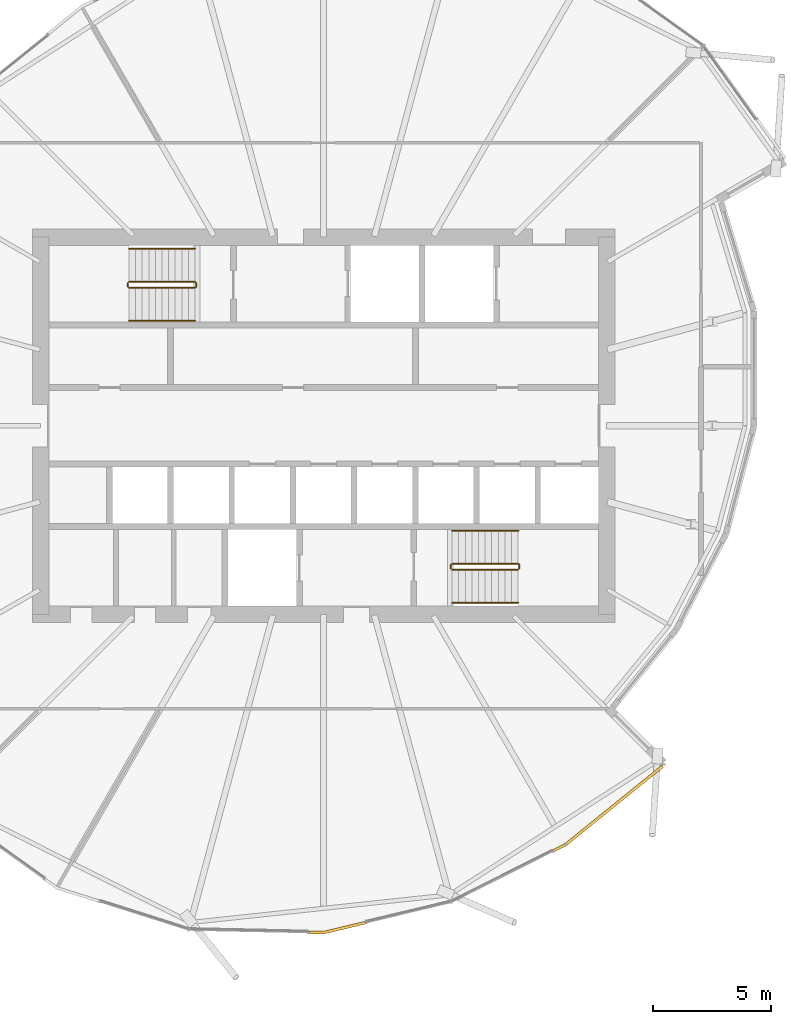
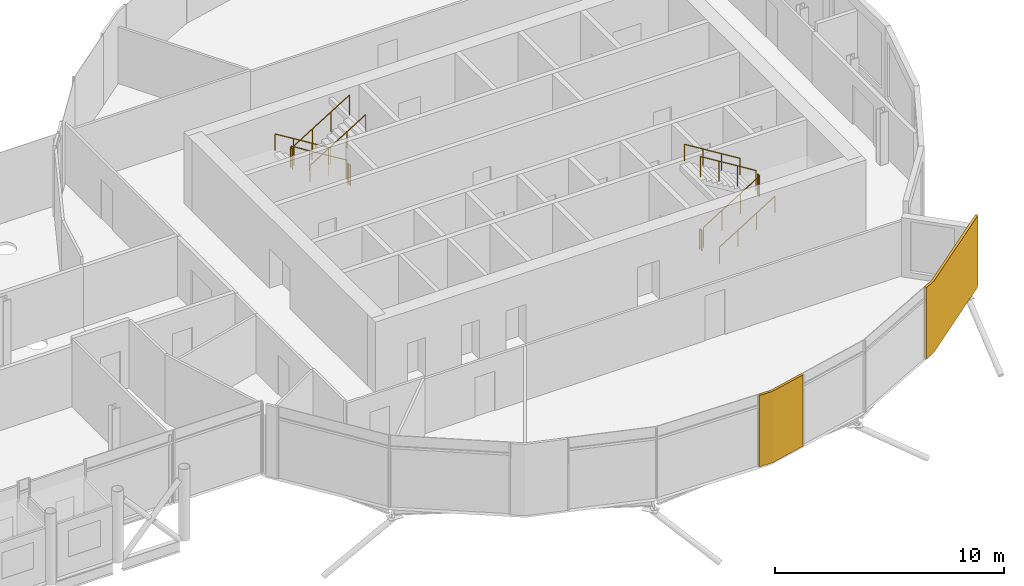
# One storey, part 38 of 39: 12 railings, 2 coverings.
"""IFC4 building model written with IfcOpenShell, lengths in metres."""

from ifc_helpers import new_model, si_unit, direction, frame, origin, origin_2d, place, context, subcontext, project, spatial, polyline, circle, outline, extrude, material, layer, layer_set, type_object, element, save


model = new_model("IFC4")

# Units and contexts
model_context = context("Model", 3, precision=1e-05, world=origin(), true_north=direction((0.0, 1.0)))
body_context = subcontext(model_context, "Body", "Model", "MODEL_VIEW")
ifc_project = project(units=[si_unit("LENGTHUNIT", "METRE"), si_unit("AREAUNIT", "SQUARE_METRE"), si_unit("VOLUMEUNIT", "CUBIC_METRE"), si_unit("PLANEANGLEUNIT", "RADIAN"), si_unit("MASSUNIT", "GRAM", prefix="KILO")], contexts=[model_context])

# Site, building, storey
site_placement = place(None, origin())
site = spatial("IfcSite", under=ifc_project, at=site_placement, CompositionType="ELEMENT")
building_placement = place(site_placement, origin())
building = spatial("IfcBuilding", under=site, at=building_placement, Name="Rimbun Link Towers", CompositionType="ELEMENT")
storey_placement = place(building_placement, frame((0.0, 0.0, 139.199951171875)))
storey = spatial("IfcBuildingStorey", under=building, at=storey_placement, Name="L33", CompositionType="ELEMENT", Elevation=139.199951171875)

# Coverings
ifc_material_1 = material(Name="Terracotta", Category="masonry")
ifc_layer = layer(ifc_material_1, 0.1201171875)
ifc_layer_set = layer_set([ifc_layer], Name="LINK PIER terracotta cladding 120")
covering_type = type_object("IfcCoveringType", Name="LINK PIER terracotta cladding 120", PredefinedType="CLADDING", material=ifc_layer_set)
covering_1_placement = place(storey_placement, origin())
element("IfcCovering", 1, at=covering_1_placement, inside=storey, type_object=covering_type, Name="LINK PIER cladding", PredefinedType="CLADDING", context=body_context, shape_type="SweptSolid", body=[
    extrude(outline(polyline([(33.52001953125, -21.0078125), (31.75, -21.43115234375), (31.130126953125, -21.418212890625), (31.127685546875, -21.5380859375), (31.762939453125, -21.551513671875), (33.548095703125, -21.12451171875), (33.52001953125, -21.0078125)])), origin(), (0.0, 0.0, 1.0), 3.800048828125),
])
covering_2_placement = place(storey_placement, origin())
element("IfcCovering", 2, at=covering_2_placement, inside=storey, type_object=covering_type, Name="LINK PIER cladding", PredefinedType="CLADDING", context=body_context, shape_type="SweptSolid", body=[
    extrude(outline(polyline([(46.092041015625, -14.38427734375), (41.9775390625, -17.714599609375), (41.468017578125, -17.970458984375), (41.52197265625, -18.07763671875), (42.04296875, -17.81591796875), (46.16748046875, -14.4775390625), (46.092041015625, -14.38427734375)])), origin(), (0.0, 0.0, 1.0), 3.800048828125),
])

# Railings
ifc_material_2 = material(Name="Stainless steel grade 316", Category="steel")
railing_type_1 = type_object("IfcRailingType", Name="Stair guard", PredefinedType="GUARDRAIL", material=ifc_material_2)
railing_1_placement = place(storey_placement, frame((26.300048828125, 6.10009765625, 0.1728515625)))
element("IfcRailing", 3, at=railing_1_placement, inside=storey, type_object=railing_type_1, Name="L33 ST3 stair guard 1", PredefinedType="GUARDRAIL", context=body_context, shape_type="SweptSolid", body=[
    extrude(circle(Radius=0.02392578125, at=origin_2d()), frame((0.0, 0.0, 1.076171875), z_axis=(-0.851089632645, 0.0, 0.525020415988), x_axis=(0.0, -1.0, 0.0)), (0.0, 0.0, 1.0), 3.2900390625),
    extrude(circle(Radius=0.02099609375, at=origin_2d()), origin(), (0.0, 0.0, 1.0), 1.052001953125),
    extrude(circle(Radius=0.02099609375, at=origin_2d()), frame((-0.933349609375, 0.0, 0.57568359375)), (0.0, 0.0, 1.0), 1.052001953125),
    extrude(circle(Radius=0.02099609375, at=origin_2d()), frame((-1.86669921875, 0.0, 1.151611328125)), (0.0, 0.0, 1.0), 1.052001953125),
    extrude(circle(Radius=0.02099609375, at=origin_2d()), frame((-2.800048828125, 0.0, 1.727294921875)), (0.0, 0.0, 1.0), 1.052001953125),
])
railing_2_placement = place(storey_placement, frame((23.449951171875, 6.050048828125, 1.900146484375)))
element("IfcRailing", 4, at=railing_2_placement, inside=storey, type_object=railing_type_1, Name="L33 ST3 stair guard 2", PredefinedType="GUARDRAIL", context=body_context, shape_type="SweptSolid", body=[
    extrude(circle(Radius=0.02392578125, at=origin_2d()), frame((0.0, 0.0, 1.076171875), z_axis=(0.0, -1.0, 0.0), x_axis=(1.0, 0.0, 0.0)), (0.0, 0.0, 1.0), 0.150146484375),
    extrude(circle(Radius=0.02099609375, at=origin_2d()), origin(), (0.0, 0.0, 1.0), 1.052001953125),
    extrude(circle(Radius=0.02099609375, at=origin_2d()), frame((0.0, -0.150146484375, 0.0)), (0.0, 0.0, 1.0), 1.052001953125),
])
railing_3_placement = place(storey_placement, frame((23.5, 5.85009765625, 2.07275390625)))
element("IfcRailing", 5, at=railing_3_placement, inside=storey, type_object=railing_type_1, Name="L33 ST3 stair guard 3", PredefinedType="GUARDRAIL", context=body_context, shape_type="SweptSolid", body=[
    extrude(circle(Radius=0.02392578125, at=origin_2d()), frame((0.0, 0.0, 1.076171875), z_axis=(0.851089632645, 0.0, 0.525020415988), x_axis=(0.0, 1.0, 0.0)), (0.0, 0.0, 1.0), 3.2900390625),
    extrude(circle(Radius=0.02099609375, at=origin_2d()), origin(), (0.0, 0.0, 1.0), 1.052001953125),
    extrude(circle(Radius=0.02099609375, at=origin_2d()), frame((0.933349609375, 0.0, 0.57568359375)), (0.0, 0.0, 1.0), 1.052001953125),
    extrude(circle(Radius=0.02099609375, at=origin_2d()), frame((1.86669921875, 0.0, 1.151611328125)), (0.0, 0.0, 1.0), 1.052001953125),
    extrude(circle(Radius=0.02099609375, at=origin_2d()), frame((2.800048828125, 0.0, 1.727294921875)), (0.0, 0.0, 1.0), 1.052001953125),
])
railing_4_placement = place(storey_placement, frame((26.35009765625, 6.050048828125, 0.0)))
element("IfcRailing", 6, at=railing_4_placement, inside=storey, type_object=railing_type_1, Name="L33 ST3 stair guard 4", PredefinedType="GUARDRAIL", context=body_context, shape_type="SweptSolid", body=[
    extrude(circle(Radius=0.02392578125, at=origin_2d()), frame((0.0, 0.0, 1.076171875), z_axis=(0.0, -1.0, 0.0), x_axis=(1.0, 0.0, 0.0)), (0.0, 0.0, 1.0), 0.150146484375),
    extrude(circle(Radius=0.02099609375, at=origin_2d()), origin(), (0.0, 0.0, 1.0), 1.052001953125),
    extrude(circle(Radius=0.02099609375, at=origin_2d()), frame((0.0, -0.150146484375, 0.0)), (0.0, 0.0, 1.0), 1.052001953125),
])
railing_5_placement = place(storey_placement, frame((37.199951171875, -6.10009765625, 0.1728515625)))
element("IfcRailing", 7, at=railing_5_placement, inside=storey, type_object=railing_type_1, Name="L33 ST4 stair guard 1", PredefinedType="GUARDRAIL", context=body_context, shape_type="SweptSolid", body=[
    extrude(circle(Radius=0.02392578125, at=origin_2d()), frame((0.0, 0.0, 1.076171875), z_axis=(0.851089632645, 0.0, 0.525020415988), x_axis=(0.0, 1.0, 0.0)), (0.0, 0.0, 1.0), 3.2900390625),
    extrude(circle(Radius=0.02099609375, at=origin_2d()), origin(), (0.0, 0.0, 1.0), 1.052001953125),
    extrude(circle(Radius=0.02099609375, at=origin_2d()), frame((0.933349609375, 0.0, 0.57568359375)), (0.0, 0.0, 1.0), 1.052001953125),
    extrude(circle(Radius=0.02099609375, at=origin_2d()), frame((1.86669921875, 0.0, 1.151611328125)), (0.0, 0.0, 1.0), 1.052001953125),
    extrude(circle(Radius=0.02099609375, at=origin_2d()), frame((2.800048828125, 0.0, 1.727294921875)), (0.0, 0.0, 1.0), 1.052001953125),
])
railing_6_placement = place(storey_placement, frame((40.050048828125, -6.050048828125, 1.900146484375)))
element("IfcRailing", 8, at=railing_6_placement, inside=storey, type_object=railing_type_1, Name="L33 ST4 stair guard 2", PredefinedType="GUARDRAIL", context=body_context, shape_type="SweptSolid", body=[
    extrude(circle(Radius=0.02392578125, at=origin_2d()), frame((0.0, 0.0, 1.076171875), z_axis=(0.0, 1.0, 0.0), x_axis=(-1.0, 0.0, 0.0)), (0.0, 0.0, 1.0), 0.150146484375),
    extrude(circle(Radius=0.02099609375, at=origin_2d()), origin(), (0.0, 0.0, 1.0), 1.052001953125),
    extrude(circle(Radius=0.02099609375, at=origin_2d()), frame((0.0, 0.150146484375, 0.0)), (0.0, 0.0, 1.0), 1.052001953125),
])
railing_7_placement = place(storey_placement, frame((40.0, -5.85009765625, 2.07275390625)))
element("IfcRailing", 9, at=railing_7_placement, inside=storey, type_object=railing_type_1, Name="L33 ST4 stair guard 3", PredefinedType="GUARDRAIL", context=body_context, shape_type="SweptSolid", body=[
    extrude(circle(Radius=0.02392578125, at=origin_2d()), frame((0.0, 0.0, 1.076171875), z_axis=(-0.851089632645, 0.0, 0.525020415988), x_axis=(0.0, -1.0, 0.0)), (0.0, 0.0, 1.0), 3.2900390625),
    extrude(circle(Radius=0.02099609375, at=origin_2d()), origin(), (0.0, 0.0, 1.0), 1.052001953125),
    extrude(circle(Radius=0.02099609375, at=origin_2d()), frame((-0.933349609375, 0.0, 0.57568359375)), (0.0, 0.0, 1.0), 1.052001953125),
    extrude(circle(Radius=0.02099609375, at=origin_2d()), frame((-1.86669921875, 0.0, 1.151611328125)), (0.0, 0.0, 1.0), 1.052001953125),
    extrude(circle(Radius=0.02099609375, at=origin_2d()), frame((-2.800048828125, 0.0, 1.727294921875)), (0.0, 0.0, 1.0), 1.052001953125),
])
railing_8_placement = place(storey_placement, frame((37.14990234375, -6.050048828125, 0.0)))
element("IfcRailing", 10, at=railing_8_placement, inside=storey, type_object=railing_type_1, Name="L33 ST4 stair guard 4", PredefinedType="GUARDRAIL", context=body_context, shape_type="SweptSolid", body=[
    extrude(circle(Radius=0.02392578125, at=origin_2d()), frame((0.0, 0.0, 1.076171875), z_axis=(0.0, 1.0, 0.0), x_axis=(-1.0, 0.0, 0.0)), (0.0, 0.0, 1.0), 0.150146484375),
    extrude(circle(Radius=0.02099609375, at=origin_2d()), origin(), (0.0, 0.0, 1.0), 1.052001953125),
    extrude(circle(Radius=0.02099609375, at=origin_2d()), frame((0.0, 0.150146484375, 0.0)), (0.0, 0.0, 1.0), 1.052001953125),
])
ifc_material_3 = material(Name="Stainless steel grade 316", Category="steel")
railing_type_2 = type_object("IfcRailingType", Name="Stair handrail", PredefinedType="HANDRAIL", material=ifc_material_3)
railing_9_placement = place(storey_placement, frame((26.300048828125, 7.5, 0.1728515625)))
element("IfcRailing", 11, at=railing_9_placement, inside=storey, type_object=railing_type_2, Name="L33 ST3 stair handrail 1", PredefinedType="HANDRAIL", context=body_context, shape_type="SweptSolid", body=[
    extrude(circle(Radius=0.02392578125, at=origin_2d()), frame((0.0, 0.0, 0.8759765625), z_axis=(-0.851089632645, 0.0, 0.525020415988), x_axis=(0.0, -1.0, 0.0)), (0.0, 0.0, 1.0), 3.2900390625),
    extrude(circle(Radius=0.02099609375, at=origin_2d()), origin(), (0.0, 0.0, 1.0), 0.851806640625),
    extrude(circle(Radius=0.02099609375, at=origin_2d()), frame((-0.933349609375, 0.0, 0.57568359375)), (0.0, 0.0, 1.0), 0.851806640625),
    extrude(circle(Radius=0.02099609375, at=origin_2d()), frame((-1.86669921875, 0.0, 1.151611328125)), (0.0, 0.0, 1.0), 0.851806640625),
    extrude(circle(Radius=0.02099609375, at=origin_2d()), frame((-2.800048828125, 0.0, 1.727294921875)), (0.0, 0.0, 1.0), 0.851806640625),
])
for number, where, name in (
    (12, (23.5, 4.449951171875, 2.07275390625), "L33 ST3 stair handrail 2"),
    (13, (37.199951171875, -7.5, 0.1728515625), "L33 ST4 stair handrail 1"),
):
    element("IfcRailing", number, at=place(storey_placement, frame(where)), inside=storey, type_object=railing_type_2, Name=name, PredefinedType="HANDRAIL", context=body_context, shape_type="SweptSolid", body=[
        extrude(circle(Radius=0.02392578125, at=origin_2d()), frame((0.0, 0.0, 0.8759765625), z_axis=(0.851089632645, 0.0, 0.525020415988), x_axis=(0.0, 1.0, 0.0)), (0.0, 0.0, 1.0), 3.2900390625),
        extrude(circle(Radius=0.02099609375, at=origin_2d()), origin(), (0.0, 0.0, 1.0), 0.851806640625),
        extrude(circle(Radius=0.02099609375, at=origin_2d()), frame((0.933349609375, 0.0, 0.57568359375)), (0.0, 0.0, 1.0), 0.851806640625),
        extrude(circle(Radius=0.02099609375, at=origin_2d()), frame((1.86669921875, 0.0, 1.151611328125)), (0.0, 0.0, 1.0), 0.851806640625),
        extrude(circle(Radius=0.02099609375, at=origin_2d()), frame((2.800048828125, 0.0, 1.727294921875)), (0.0, 0.0, 1.0), 0.851806640625),
    ])
railing_10_placement = place(storey_placement, frame((40.0, -4.449951171875, 2.07275390625)))
element("IfcRailing", 14, at=railing_10_placement, inside=storey, type_object=railing_type_2, Name="L33 ST4 stair handrail 2", PredefinedType="HANDRAIL", context=body_context, shape_type="SweptSolid", body=[
    extrude(circle(Radius=0.02392578125, at=origin_2d()), frame((0.0, 0.0, 0.8759765625), z_axis=(-0.851089632645, 0.0, 0.525020415988), x_axis=(0.0, -1.0, 0.0)), (0.0, 0.0, 1.0), 3.2900390625),
    extrude(circle(Radius=0.02099609375, at=origin_2d()), origin(), (0.0, 0.0, 1.0), 0.851806640625),
    extrude(circle(Radius=0.02099609375, at=origin_2d()), frame((-0.933349609375, 0.0, 0.57568359375)), (0.0, 0.0, 1.0), 0.851806640625),
    extrude(circle(Radius=0.02099609375, at=origin_2d()), frame((-1.86669921875, 0.0, 1.151611328125)), (0.0, 0.0, 1.0), 0.851806640625),
    extrude(circle(Radius=0.02099609375, at=origin_2d()), frame((-2.800048828125, 0.0, 1.727294921875)), (0.0, 0.0, 1.0), 0.851806640625),
])

save(model, "model.ifc")
